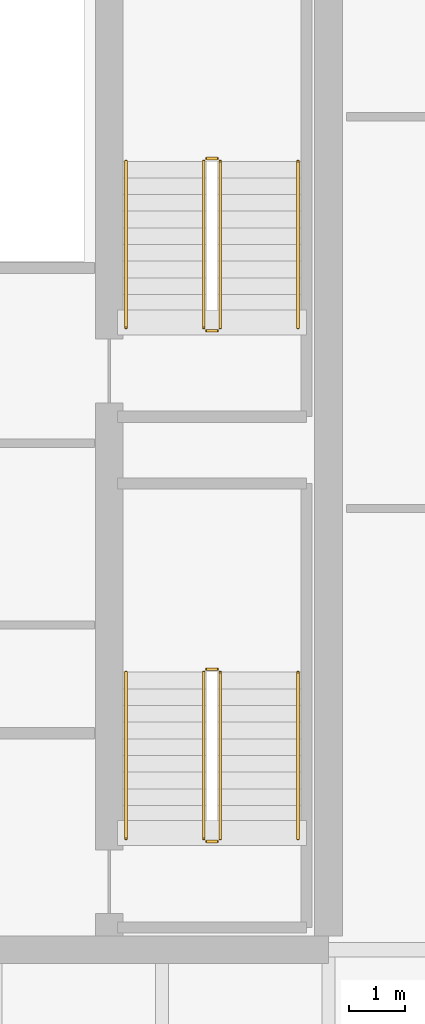
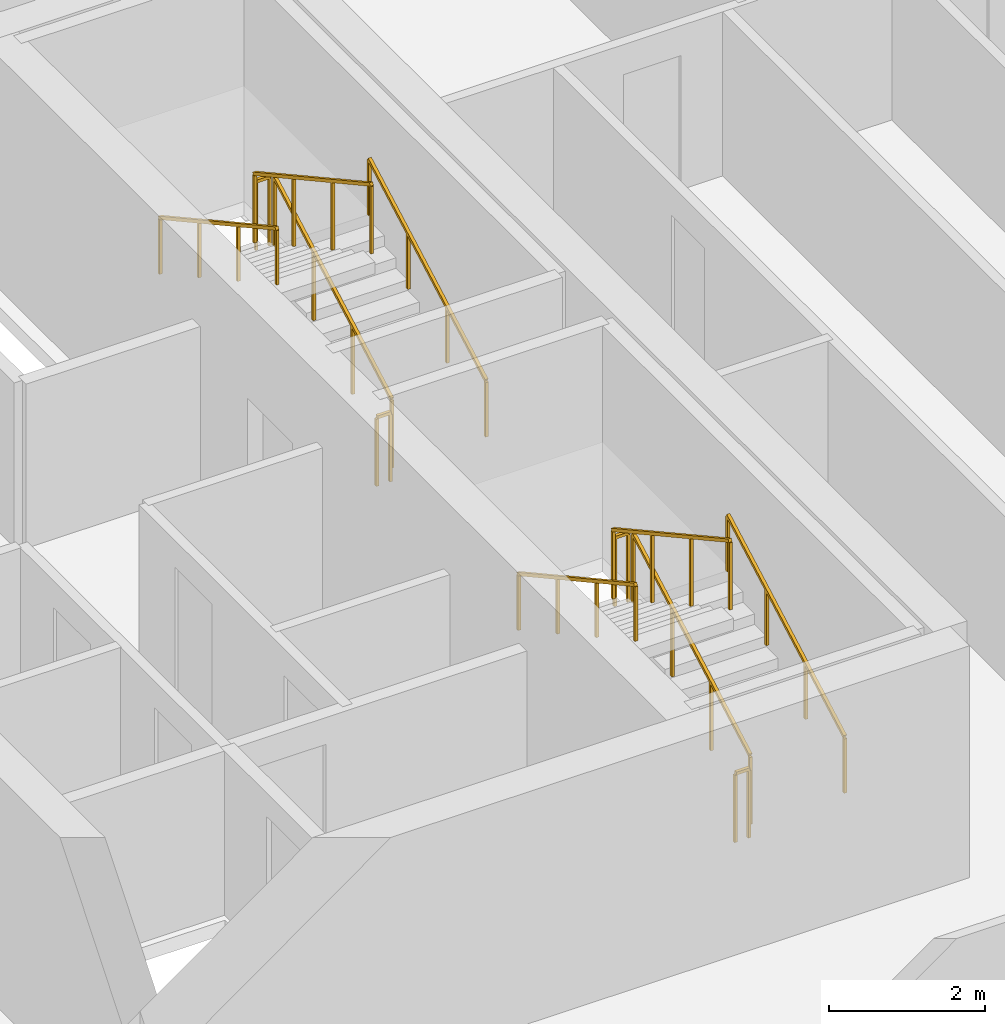
# One storey, part 22 of 23: 12 railings.
"""IFC4 building model written with IfcOpenShell, lengths in metres."""

from ifc_helpers import new_model, si_unit, direction, frame, origin, place, context, subcontext, project, spatial, rectangle, extrude, material, type_object, element, save


model = new_model("IFC4")

# Units and contexts
model_context = context("Model", 3, precision=1e-05, world=origin(), true_north=direction((0.0, 1.0)))
body_context = subcontext(model_context, "Body", "Model", "MODEL_VIEW")
ifc_project = project(units=[si_unit("LENGTHUNIT", "METRE"), si_unit("AREAUNIT", "SQUARE_METRE"), si_unit("VOLUMEUNIT", "CUBIC_METRE"), si_unit("PLANEANGLEUNIT", "RADIAN"), si_unit("MASSUNIT", "GRAM", prefix="KILO")], contexts=[model_context])

# Site, building, storey
site_placement = place(None, origin())
site = spatial("IfcSite", under=ifc_project, at=site_placement, CompositionType="ELEMENT")
building_placement = place(site_placement, origin())
building = spatial("IfcBuilding", under=site, at=building_placement, Name="Tanjung Sevakor Pilgrim Tower", CompositionType="ELEMENT")
storey_placement = place(building_placement, frame((0.0, 0.0, 119.4599609375)))
storey = spatial("IfcBuildingStorey", under=building, at=storey_placement, Name="L33", CompositionType="ELEMENT", Elevation=119.4599609375)

# Railings
ifc_material_1 = material(Name="Steel S355J2", Category="steel")
railing_type_1 = type_object("IfcRailingType", Name="RL-STAIR-GUARD", PredefinedType="GUARDRAIL", material=ifc_material_1)
railing_1_placement = place(storey_placement, frame((88.050048828125, 26.60009765625, 0.1650390625)))
element("IfcRailing", 1, at=railing_1_placement, inside=storey, type_object=railing_type_1, Name="L33 TS-E1 stair guard 1", PredefinedType="GUARDRAIL", context=body_context, shape_type="SweptSolid", body=[
    extrude(rectangle(XDim=0.0479, YDim=0.0479), frame((0.0, 0.0, 1.076171875), z_axis=(0.0, 0.876227952683, 0.48189685093), x_axis=(-1.0, 0.0, 0.0)), (0.0, 0.0, 1.0), 3.423828125),
    extrude(rectangle(XDim=0.042, YDim=0.042), origin(), (0.0, 0.0, 1.0), 1.052001953125),
    extrude(rectangle(XDim=0.042, YDim=0.042), frame((0.0, 1.0, 0.550048828125)), (0.0, 0.0, 1.0), 1.052001953125),
    extrude(rectangle(XDim=0.042, YDim=0.042), frame((0.0, 2.0, 1.099853515625)), (0.0, 0.0, 1.0), 1.052001953125),
    extrude(rectangle(XDim=0.042, YDim=0.042), frame((0.0, 3.0, 1.64990234375)), (0.0, 0.0, 1.0), 1.052001953125),
])
railing_2_placement = place(storey_placement, frame((88.0, 29.64990234375, 1.81494140625)))
element("IfcRailing", 2, at=railing_2_placement, inside=storey, type_object=railing_type_1, Name="L33 TS-E1 stair guard 2", PredefinedType="GUARDRAIL", context=body_context, shape_type="SweptSolid", body=[
    extrude(rectangle(XDim=0.0479, YDim=0.0479), frame((0.0, 0.0, 1.076171875), z_axis=(-1.0, 0.0, 0.0), x_axis=(0.0, -1.0, 0.0)), (0.0, 0.0, 1.0), 0.199951171875),
    extrude(rectangle(XDim=0.042, YDim=0.042), origin(), (0.0, 0.0, 1.0), 1.052001953125),
    extrude(rectangle(XDim=0.042, YDim=0.042), frame((-0.199951171875, 0.0, 0.0)), (0.0, 0.0, 1.0), 1.052001953125),
])
railing_3_placement = place(storey_placement, frame((87.75, 29.60009765625, 1.97998046875)))
element("IfcRailing", 3, at=railing_3_placement, inside=storey, type_object=railing_type_1, Name="L33 TS-E1 stair guard 3", PredefinedType="GUARDRAIL", context=body_context, shape_type="SweptSolid", body=[
    extrude(rectangle(XDim=0.0479, YDim=0.0479), frame((0.0, 0.0, 1.076171875), z_axis=(0.0, -0.876197842262, 0.481951596342), x_axis=(1.0, 0.0, 0.0)), (0.0, 0.0, 1.0), 3.423828125),
    extrude(rectangle(XDim=0.042, YDim=0.042), origin(), (0.0, 0.0, 1.0), 1.052001953125),
    extrude(rectangle(XDim=0.042, YDim=0.042), frame((0.0, -1.0, 0.550048828125)), (0.0, 0.0, 1.0), 1.052001953125),
    extrude(rectangle(XDim=0.042, YDim=0.042), frame((0.0, -2.0, 1.10009765625)), (0.0, 0.0, 1.0), 1.052001953125),
    extrude(rectangle(XDim=0.042, YDim=0.042), frame((0.0, -3.0, 1.650146484375)), (0.0, 0.0, 1.0), 1.052001953125),
])
railing_4_placement = place(storey_placement, frame((88.0, 26.550048828125, 0.0)))
element("IfcRailing", 4, at=railing_4_placement, inside=storey, type_object=railing_type_1, Name="L33 TS-E1 stair guard 4", PredefinedType="GUARDRAIL", context=body_context, shape_type="SweptSolid", body=[
    extrude(rectangle(XDim=0.0479, YDim=0.0479), frame((0.0, 0.0, 1.076171875), z_axis=(-1.0, 0.0, 0.0), x_axis=(0.0, -1.0, 0.0)), (0.0, 0.0, 1.0), 0.199951171875),
    extrude(rectangle(XDim=0.042, YDim=0.042), origin(), (0.0, 0.0, 1.0), 1.052001953125),
    extrude(rectangle(XDim=0.042, YDim=0.042), frame((-0.199951171875, 0.0, 0.0)), (0.0, 0.0, 1.0), 1.052001953125),
])
railing_5_placement = place(storey_placement, frame((88.050048828125, 35.800048828125, 0.1650390625)))
element("IfcRailing", 5, at=railing_5_placement, inside=storey, type_object=railing_type_1, Name="L33 TS-E2 stair guard 1", PredefinedType="GUARDRAIL", context=body_context, shape_type="SweptSolid", body=[
    extrude(rectangle(XDim=0.0479, YDim=0.0479), frame((0.0, 0.0, 1.076171875), z_axis=(0.0, 0.876227952683, 0.48189685093), x_axis=(-1.0, 0.0, 0.0)), (0.0, 0.0, 1.0), 3.423828125),
    extrude(rectangle(XDim=0.042, YDim=0.042), origin(), (0.0, 0.0, 1.0), 1.052001953125),
    extrude(rectangle(XDim=0.042, YDim=0.042), frame((0.0, 1.0, 0.550048828125)), (0.0, 0.0, 1.0), 1.052001953125),
    extrude(rectangle(XDim=0.042, YDim=0.042), frame((0.0, 2.0, 1.099853515625)), (0.0, 0.0, 1.0), 1.052001953125),
    extrude(rectangle(XDim=0.042, YDim=0.042), frame((0.0, 3.0, 1.64990234375)), (0.0, 0.0, 1.0), 1.052001953125),
])
railing_6_placement = place(storey_placement, frame((88.0, 38.85009765625, 1.81494140625)))
element("IfcRailing", 6, at=railing_6_placement, inside=storey, type_object=railing_type_1, Name="L33 TS-E2 stair guard 2", PredefinedType="GUARDRAIL", context=body_context, shape_type="SweptSolid", body=[
    extrude(rectangle(XDim=0.0479, YDim=0.0479), frame((0.0, 0.0, 1.076171875), z_axis=(-1.0, 0.0, 0.0), x_axis=(0.0, -1.0, 0.0)), (0.0, 0.0, 1.0), 0.199951171875),
    extrude(rectangle(XDim=0.042, YDim=0.042), origin(), (0.0, 0.0, 1.0), 1.052001953125),
    extrude(rectangle(XDim=0.042, YDim=0.042), frame((-0.199951171875, 0.0, 0.0)), (0.0, 0.0, 1.0), 1.052001953125),
])
railing_7_placement = place(storey_placement, frame((87.75, 38.800048828125, 1.97998046875)))
element("IfcRailing", 7, at=railing_7_placement, inside=storey, type_object=railing_type_1, Name="L33 TS-E2 stair guard 3", PredefinedType="GUARDRAIL", context=body_context, shape_type="SweptSolid", body=[
    extrude(rectangle(XDim=0.0479, YDim=0.0479), frame((0.0, 0.0, 1.076171875), z_axis=(0.0, -0.876197842262, 0.481951596342), x_axis=(1.0, 0.0, 0.0)), (0.0, 0.0, 1.0), 3.423828125),
    extrude(rectangle(XDim=0.042, YDim=0.042), origin(), (0.0, 0.0, 1.0), 1.052001953125),
    extrude(rectangle(XDim=0.042, YDim=0.042), frame((0.0, -1.0, 0.550048828125)), (0.0, 0.0, 1.0), 1.052001953125),
    extrude(rectangle(XDim=0.042, YDim=0.042), frame((0.0, -2.0, 1.10009765625)), (0.0, 0.0, 1.0), 1.052001953125),
    extrude(rectangle(XDim=0.042, YDim=0.042), frame((0.0, -3.0, 1.650146484375)), (0.0, 0.0, 1.0), 1.052001953125),
])
railing_8_placement = place(storey_placement, frame((88.0, 35.75, 0.0)))
element("IfcRailing", 8, at=railing_8_placement, inside=storey, type_object=railing_type_1, Name="L33 TS-E2 stair guard 4", PredefinedType="GUARDRAIL", context=body_context, shape_type="SweptSolid", body=[
    extrude(rectangle(XDim=0.0479, YDim=0.0479), frame((0.0, 0.0, 1.076171875), z_axis=(-1.0, 0.0, 0.0), x_axis=(0.0, -1.0, 0.0)), (0.0, 0.0, 1.0), 0.199951171875),
    extrude(rectangle(XDim=0.042, YDim=0.042), origin(), (0.0, 0.0, 1.0), 1.052001953125),
    extrude(rectangle(XDim=0.042, YDim=0.042), frame((-0.199951171875, 0.0, 0.0)), (0.0, 0.0, 1.0), 1.052001953125),
])
ifc_material_2 = material(Name="Steel S355J2", Category="steel")
railing_type_2 = type_object("IfcRailingType", Name="RL-STAIR-HAND", PredefinedType="HANDRAIL", material=ifc_material_2)
railing_9_placement = place(storey_placement, frame((89.449951171875, 26.60009765625, 0.1650390625)))
element("IfcRailing", 9, at=railing_9_placement, inside=storey, type_object=railing_type_2, Name="L33 TS-E1 stair handrail 1", PredefinedType="HANDRAIL", context=body_context, shape_type="SweptSolid", body=[
    extrude(rectangle(XDim=0.0479, YDim=0.0479), frame((0.0, 0.0, 0.8759765625), z_axis=(0.0, 0.876227952683, 0.48189685093), x_axis=(-1.0, 0.0, 0.0)), (0.0, 0.0, 1.0), 3.423828125),
    extrude(rectangle(XDim=0.042, YDim=0.042), origin(), (0.0, 0.0, 1.0), 0.851806640625),
    extrude(rectangle(XDim=0.042, YDim=0.042), frame((0.0, 1.0, 0.550048828125)), (0.0, 0.0, 1.0), 0.851806640625),
    extrude(rectangle(XDim=0.042, YDim=0.042), frame((0.0, 2.0, 1.099853515625)), (0.0, 0.0, 1.0), 0.851806640625),
    extrude(rectangle(XDim=0.042, YDim=0.042), frame((0.0, 3.0, 1.64990234375)), (0.0, 0.0, 1.0), 0.851806640625),
])
railing_10_placement = place(storey_placement, frame((86.35009765625, 29.60009765625, 1.97998046875)))
element("IfcRailing", 10, at=railing_10_placement, inside=storey, type_object=railing_type_2, Name="L33 TS-E1 stair handrail 2", PredefinedType="HANDRAIL", context=body_context, shape_type="SweptSolid", body=[
    extrude(rectangle(XDim=0.0479, YDim=0.0479), frame((0.0, 0.0, 0.8759765625), z_axis=(0.0, -0.876197842262, 0.481951596342), x_axis=(1.0, 0.0, 0.0)), (0.0, 0.0, 1.0), 3.423828125),
    extrude(rectangle(XDim=0.042, YDim=0.042), origin(), (0.0, 0.0, 1.0), 0.851806640625),
    extrude(rectangle(XDim=0.042, YDim=0.042), frame((0.0, -1.0, 0.550048828125)), (0.0, 0.0, 1.0), 0.851806640625),
    extrude(rectangle(XDim=0.042, YDim=0.042), frame((0.0, -2.0, 1.10009765625)), (0.0, 0.0, 1.0), 0.851806640625),
    extrude(rectangle(XDim=0.042, YDim=0.042), frame((0.0, -3.0, 1.650146484375)), (0.0, 0.0, 1.0), 0.851806640625),
])
railing_11_placement = place(storey_placement, frame((89.449951171875, 35.800048828125, 0.1650390625)))
element("IfcRailing", 11, at=railing_11_placement, inside=storey, type_object=railing_type_2, Name="L33 TS-E2 stair handrail 1", PredefinedType="HANDRAIL", context=body_context, shape_type="SweptSolid", body=[
    extrude(rectangle(XDim=0.0479, YDim=0.0479), frame((0.0, 0.0, 0.8759765625), z_axis=(0.0, 0.876227952683, 0.48189685093), x_axis=(-1.0, 0.0, 0.0)), (0.0, 0.0, 1.0), 3.423828125),
    extrude(rectangle(XDim=0.042, YDim=0.042), origin(), (0.0, 0.0, 1.0), 0.851806640625),
    extrude(rectangle(XDim=0.042, YDim=0.042), frame((0.0, 1.0, 0.550048828125)), (0.0, 0.0, 1.0), 0.851806640625),
    extrude(rectangle(XDim=0.042, YDim=0.042), frame((0.0, 2.0, 1.099853515625)), (0.0, 0.0, 1.0), 0.851806640625),
    extrude(rectangle(XDim=0.042, YDim=0.042), frame((0.0, 3.0, 1.64990234375)), (0.0, 0.0, 1.0), 0.851806640625),
])
railing_12_placement = place(storey_placement, frame((86.35009765625, 38.800048828125, 1.97998046875)))
element("IfcRailing", 12, at=railing_12_placement, inside=storey, type_object=railing_type_2, Name="L33 TS-E2 stair handrail 2", PredefinedType="HANDRAIL", context=body_context, shape_type="SweptSolid", body=[
    extrude(rectangle(XDim=0.0479, YDim=0.0479), frame((0.0, 0.0, 0.8759765625), z_axis=(0.0, -0.876197842262, 0.481951596342), x_axis=(1.0, 0.0, 0.0)), (0.0, 0.0, 1.0), 3.423828125),
    extrude(rectangle(XDim=0.042, YDim=0.042), origin(), (0.0, 0.0, 1.0), 0.851806640625),
    extrude(rectangle(XDim=0.042, YDim=0.042), frame((0.0, -1.0, 0.550048828125)), (0.0, 0.0, 1.0), 0.851806640625),
    extrude(rectangle(XDim=0.042, YDim=0.042), frame((0.0, -2.0, 1.10009765625)), (0.0, 0.0, 1.0), 0.851806640625),
    extrude(rectangle(XDim=0.042, YDim=0.042), frame((0.0, -3.0, 1.650146484375)), (0.0, 0.0, 1.0), 0.851806640625),
])

save(model, "model.ifc")
